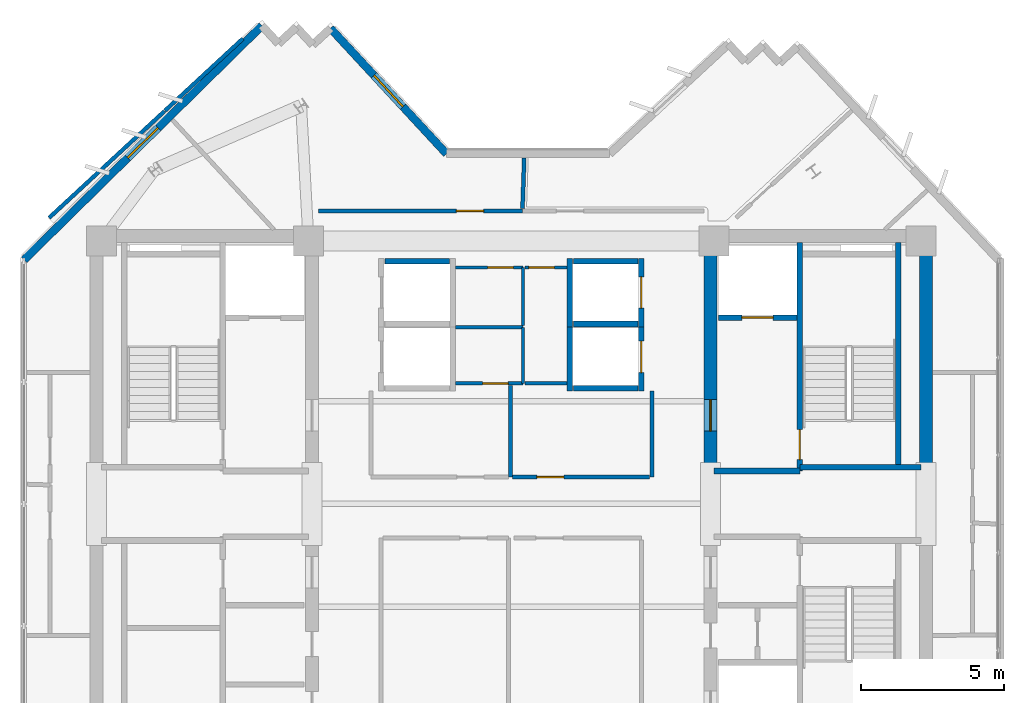
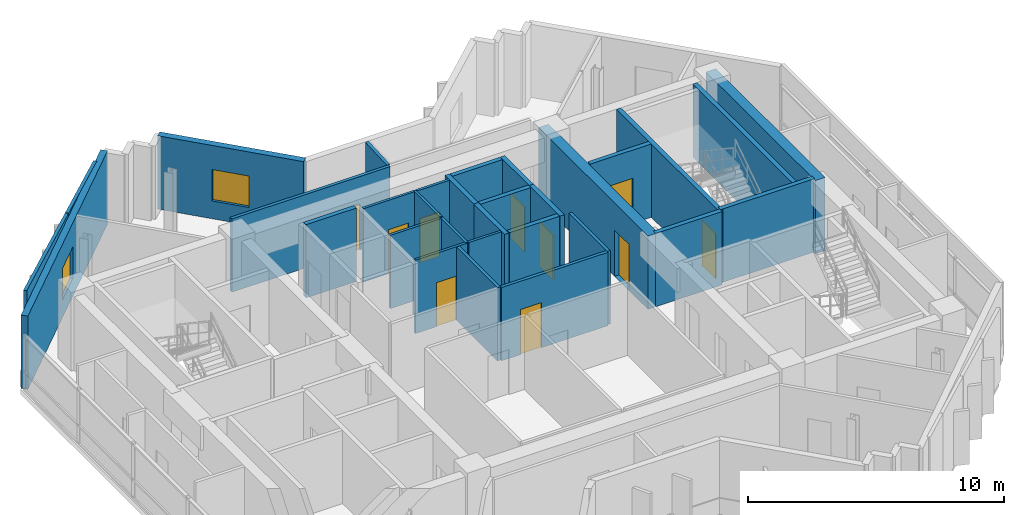
# One storey, part 6 of 9: 31 walls, 10 doors, 2 windows, 12 openings.
"""IFC4 building model written with IfcOpenShell, lengths in metres."""

import ifcopenshell
import ifcopenshell.guid

model = None  # the IFC model being written
_history = None  # IfcOwnerHistory: only IFC2X3 demands one
_inside = {}  # id of a spatial element -> (the spatial element, [elements in it])
_under = {}  # id of a project, library or spatial element -> (it, [spatial elements below it])
_declared = {}  # id of a project -> (the project, [libraries it declares])
_typed = {}  # id of a type object -> (the type object, [elements of that type])
_made_of = {}  # id of a material, layer set ... -> (it, [elements and type objects made of it])


def new_model(schema):
    """Start an empty IFC model of exactly this schema.

    Asked for "IFC4X3", IfcOpenShell would pick the latest addendum, in which some entities
    have other attributes; the version numbers below select the first issue.
    IFC2X3 requires an IfcOwnerHistory on every rooted entity: one is made here for all.
    """
    global model, _history
    if schema == "IFC4X3":
        model = ifcopenshell.file(schema_version=(4, 3, 0, 0))
    else:
        model = ifcopenshell.file(schema=schema)
    _inside.clear()
    _under.clear()
    _declared.clear()
    _typed.clear()
    _made_of.clear()
    _history = None
    if model.schema == "IFC2X3":
        org = make("IfcOrganization", Name="unknown")
        user = make(
            "IfcPersonAndOrganization",
            ThePerson=make("IfcPerson", FamilyName="unknown"),
            TheOrganization=org,
        )
        app = make(
            "IfcApplication",
            ApplicationDeveloper=org,
            Version="unknown",
            ApplicationFullName="unknown",
            ApplicationIdentifier="unknown",
        )
        _history = make(
            "IfcOwnerHistory",
            OwningUser=user,
            OwningApplication=app,
            ChangeAction="ADDED",
            CreationDate=0,
        )
    return model


def make(cls, **values):
    """One entity of the class cls with the attributes given. An attribute that is None is left unset."""
    return model.create_entity(
        cls, **{name: value for name, value in values.items() if value is not None}
    )


def rooted(cls, **values):
    """An entity with a GlobalId (a new one), such as an element, a storey or a relation."""
    return make(cls, GlobalId=ifcopenshell.guid.new(), OwnerHistory=_history, **values)


def si_unit(unit_type, name, prefix=None):
    """IfcSIUnit, for example si_unit("LENGTHUNIT", "METRE", prefix="MILLI")."""
    return make("IfcSIUnit", UnitType=unit_type, Prefix=prefix, Name=name)


def assignment(units):
    """IfcUnitAssignment: the units of a project."""
    return None if units is None else make("IfcUnitAssignment", Units=units)


def point(xyz):
    """IfcCartesianPoint."""
    return None if xyz is None else make("IfcCartesianPoint", Coordinates=xyz)


def direction(xyz):
    """IfcDirection."""
    return None if xyz is None else make("IfcDirection", DirectionRatios=xyz)


def frame(location, z_axis=None, x_axis=None):
    """IfcAxis2Placement3D, a coordinate frame: its origin and axes. An axis left out is left unset."""
    return make(
        "IfcAxis2Placement3D",
        Location=point(location),
        Axis=direction(z_axis),
        RefDirection=direction(x_axis),
    )


def frame_2d(location, x_axis=None):
    """IfcAxis2Placement2D, a coordinate frame in the plane: its origin and x axis."""
    return make(
        "IfcAxis2Placement2D", Location=point(location), RefDirection=direction(x_axis)
    )


def origin():
    """The frame at (0, 0, 0) with its axes left unset."""
    return frame((0.0, 0.0, 0.0))


def place(relative_to, where):
    """IfcLocalPlacement: puts the frame where relative to a parent placement (None: the world)."""
    return make(
        "IfcLocalPlacement", PlacementRelTo=relative_to, RelativePlacement=where
    )


def context(
    kind, dimensions, precision=None, world=None, true_north=None, identifier=None
):
    """IfcGeometricRepresentationContext, for example the 3D "Model" context."""
    return make(
        "IfcGeometricRepresentationContext",
        ContextIdentifier=identifier,
        ContextType=kind,
        CoordinateSpaceDimension=dimensions,
        Precision=precision,
        WorldCoordinateSystem=world,
        TrueNorth=true_north,
    )


def subcontext(parent, identifier, kind, view, scale=None):
    """IfcGeometricRepresentationSubContext, for example "Body" below "Model"."""
    return make(
        "IfcGeometricRepresentationSubContext",
        ContextIdentifier=identifier,
        ContextType=kind,
        ParentContext=parent,
        TargetScale=scale,
        TargetView=view,
    )


def project(units=None, contexts=None):
    """IfcProject with its units and contexts."""
    return rooted(
        "IfcProject",
        Name="project",
        RepresentationContexts=contexts,
        UnitsInContext=assignment(units),
    )


def spatial(cls, under=None, at=None, **own):
    """A site, building, storey or space (cls), placed at a placement, below another one or the project."""
    s = rooted(cls, ObjectPlacement=at, **own)
    if under is not None:
        _under.setdefault(under.id(), (under, []))[1].append(s)
    return s


def profile(cls, at=None, kind="AREA", **sizes):
    """A parametric profile (cls). Its sizes go by their IFC names, for example OverallWidth=200.0."""
    return make(cls, ProfileType=kind, Position=at, **sizes)


def rectangle(**sizes):
    """IfcRectangleProfileDef."""
    return profile("IfcRectangleProfileDef", **sizes)


def extrude(swept, where, along, depth):
    """IfcExtrudedAreaSolid: the profile swept, set in the frame where, extruded along a direction by depth."""
    return make(
        "IfcExtrudedAreaSolid",
        SweptArea=swept,
        Position=where,
        ExtrudedDirection=direction(along),
        Depth=depth,
    )


def shape(context_of_items, identifier, shape_type, items):
    """IfcShapeRepresentation: the items that make up one representation, for example the "Body"."""
    return make(
        "IfcShapeRepresentation",
        ContextOfItems=context_of_items,
        RepresentationIdentifier=identifier,
        RepresentationType=shape_type,
        Items=items,
    )


def source(mapping_origin, context_of_items, identifier, shape_type, items):
    """IfcRepresentationMap: a shape defined once, which mapped items show again and again."""
    return make(
        "IfcRepresentationMap",
        MappingOrigin=mapping_origin,
        MappedRepresentation=shape(context_of_items, identifier, shape_type, items),
    )


def transform(
    local_origin,
    x_axis=None,
    y_axis=None,
    z_axis=None,
    scale=None,
    scale2=None,
    scale3=None,
    uniform=True,
):
    """IfcCartesianTransformationOperator3D, or its non-uniform kind. x_axis, y_axis, z_axis: its Axis1, 2, 3."""
    if uniform:
        return make(
            "IfcCartesianTransformationOperator3D",
            Axis1=direction(x_axis),
            Axis2=direction(y_axis),
            LocalOrigin=point(local_origin),
            Scale=scale,
            Axis3=direction(z_axis),
        )
    return make(
        "IfcCartesianTransformationOperator3DnonUniform",
        Axis1=direction(x_axis),
        Axis2=direction(y_axis),
        LocalOrigin=point(local_origin),
        Scale=scale,
        Axis3=direction(z_axis),
        Scale2=scale2,
        Scale3=scale3,
    )


def mapped(mapping_source, mapping_target):
    """IfcMappedItem: shows the shape of a source again, moved by a transform."""
    return make(
        "IfcMappedItem", MappingSource=mapping_source, MappingTarget=mapping_target
    )


def material(Name=None, Category=None):
    """IfcMaterial."""
    return make("IfcMaterial", Name=Name, Category=Category)


def layer(
    of_material, thickness, ventilated=None, Name=None, Category=None, Priority=None
):
    """IfcMaterialLayer: one layer of a wall or slab, of a material (None: an air gap)."""
    return make(
        "IfcMaterialLayer",
        Material=of_material,
        LayerThickness=thickness,
        IsVentilated=ventilated,
        Name=Name,
        Category=Category,
        Priority=Priority,
    )


def layer_set(layers, Name=None):
    """IfcMaterialLayerSet."""
    return make("IfcMaterialLayerSet", MaterialLayers=layers, LayerSetName=Name)


def made_of(thing, what):
    """Note that an element or type object is made of a material, layer set ...; save() writes the relation."""
    if what is not None:
        _made_of.setdefault(what.id(), (what, []))[1].append(thing)
    return thing


def type_object(cls, material=None, **own):
    """A type object (cls), such as IfcWallType, which elements share."""
    return made_of(rooted(cls, **own), material)


def element(
    cls,
    number,
    at=None,
    inside=None,
    cuts=None,
    type_object=None,
    material=None,
    context=None,
    identifier="Body",
    shape_type=None,
    held_by="IfcProductDefinitionShape",
    body=None,
    shapes=None,
    **own,
):
    """One element of the class cls, such as IfcWall. Its Tag is "e" and its number.

    at: its placement. inside: the storey or other place that contains it. cuts: it is an
    opening in that element (IfcRelVoidsElement). A single representation is given by context,
    identifier, shape_type and body (its items); several are given by shapes. held_by: the class
    of the entity that holds the representations. save() writes the other relations.
    """
    e = rooted(cls, Tag="e%d" % number, ObjectPlacement=at, **own)
    if body is not None:
        shapes = [shape(context, identifier, shape_type, body)]
    if shapes is not None:
        e.Representation = make(held_by, Representations=shapes)
    if inside is not None:
        _inside.setdefault(inside.id(), (inside, []))[1].append(e)
    if cuts is not None:
        rooted(
            "IfcRelVoidsElement", RelatingBuildingElement=cuts, RelatedOpeningElement=e
        )
    if type_object is not None:
        _typed.setdefault(type_object.id(), (type_object, []))[1].append(e)
    return made_of(e, material)


def fill(opening, filler):
    """IfcRelFillsElement: the door or window that sits in an opening."""
    return rooted(
        "IfcRelFillsElement",
        RelatingOpeningElement=opening,
        RelatedBuildingElement=filler,
    )


def aggregate(whole, parts):
    """IfcRelAggregates: a whole, such as a stair, and the parts it consists of."""
    return rooted("IfcRelAggregates", RelatingObject=whole, RelatedObjects=parts)


def save(model, path):
    """Write the relations noted so far, then the file.

    IfcRelAggregates (storeys below a building ...), IfcRelContainedInSpatialStructure (elements
    in a storey), IfcRelDefinesByType, IfcRelAssociatesMaterial and IfcRelDeclares: one each for
    every whole, place, type object, material and project.
    """
    for whole, parts in _under.values():
        aggregate(whole, parts)
    for where, things in _inside.values():
        rooted(
            "IfcRelContainedInSpatialStructure",
            RelatedElements=things,
            RelatingStructure=where,
        )
    for kind, things in _typed.values():
        rooted("IfcRelDefinesByType", RelatedObjects=things, RelatingType=kind)
    for what, things in _made_of.values():
        rooted("IfcRelAssociatesMaterial", RelatedObjects=things, RelatingMaterial=what)
    for by, libraries in _declared.values():
        rooted("IfcRelDeclares", RelatingContext=by, RelatedDefinitions=libraries)
    model.write(path)


model = new_model("IFC4")

# Units and contexts
model_context = context("Model", 3, precision=1e-05, world=origin(), true_north=direction((0.0, 1.0)))
body_context = subcontext(model_context, "Body", "Model", "MODEL_VIEW")
ifc_project = project(units=[si_unit("LENGTHUNIT", "METRE"), si_unit("AREAUNIT", "SQUARE_METRE"), si_unit("VOLUMEUNIT", "CUBIC_METRE"), si_unit("PLANEANGLEUNIT", "RADIAN"), si_unit("MASSUNIT", "GRAM", prefix="KILO")], contexts=[model_context])

# Site, building, storey
site_placement = place(None, origin())
site = spatial("IfcSite", under=ifc_project, at=site_placement, CompositionType="ELEMENT")
building_placement = place(site_placement, origin())
building = spatial("IfcBuilding", under=site, at=building_placement, Name="Zahravan Cultural Tower", CompositionType="ELEMENT")
storey_placement = place(building_placement, frame((0.0, 0.0, 299.10009765625)))
storey = spatial("IfcBuildingStorey", under=building, at=storey_placement, Name="L72", CompositionType="ELEMENT", Elevation=299.10009765625)

# Wall, opening, door
ifc_material_1 = material(Name="Concrete C50/60", Category="concrete")
ifc_layer_1 = layer(ifc_material_1, 0.449951171875)
ifc_layer_set_1 = layer_set([ifc_layer_1], Name="Concrete C50/60")
wall_type_1 = type_object("IfcWallType", Name="CW-SHEAR-450-C50", PredefinedType="SHEAR", material=ifc_layer_set_1)
wall_1_placement = place(storey_placement, frame((42.97509765625, 28.050048828125, 0.0), z_axis=(0.0, 0.0, 1.0), x_axis=(0.0, 1.0, 0.0)))
wall_1 = element("IfcWall", 1, at=wall_1_placement, inside=storey, type_object=wall_type_1, Name="L72 Core Shear Wall CW-E-WN-L72", PredefinedType="SHEAR", context=body_context, shape_type="SweptSolid", body=[
    extrude(rectangle(XDim=8.550048828125, YDim=0.449951171875, at=frame_2d((4.27490234375, 0.0))), origin(), (0.0, 0.0, 1.0), 3.5),
])
opening_1_placement = place(wall_1_placement, frame((1.5, 0.0, 0.0)))
opening_1 = element("IfcOpeningElement", 2, at=opening_1_placement, cuts=wall_1, Name="Opening D-L72-07", PredefinedType="OPENING", context=body_context, shape_type="SweptSolid", body=[
    extrude(rectangle(XDim=1.10009765625, YDim=2.199951171875, at=frame_2d((0.550048828125, 1.10009765625))), frame((0.0, 0.23486328125, 0.0), z_axis=(0.0, -1.0, 0.0), x_axis=(1.0, 0.0, 0.0)), (0.0, 0.0, 1.0), 0.469970703125),
])
ifc_material_2 = material(Name="Steel ASTM A572 Grade 50", Category="steel")
door_type_1 = type_object("IfcDoorType", Name="DR-LOBBY-1100", OperationType="NOTDEFINED", PredefinedType="DOOR", material=ifc_material_2)
shared_shape_1 = source(origin(), body_context, "Body", "SweptSolid", [
    extrude(rectangle(XDim=1.10009765625, YDim=2.199951171875, at=frame_2d((0.550048828125, 1.10009765625))), frame((0.0, 0.02490234375, 0.0), z_axis=(0.0, -1.0, 0.0), x_axis=(1.0, 0.0, 0.0)), (0.0, 0.0, 1.0), 0.050048828125),
])
door_1_placement = place(opening_1_placement, origin())
door_1 = element("IfcDoor", 3, at=door_1_placement, inside=storey, type_object=door_type_1, Name="L72 Door D-L72-07", OperationType="SINGLE_SWING_RIGHT", OverallHeight=2.199951171875, OverallWidth=1.10009765625, PredefinedType="DOOR", context=body_context, shape_type="MappedRepresentation", body=[
    mapped(shared_shape_1, transform((0.0, 0.0, 0.0), x_axis=(1.0, 0.0, 0.0), y_axis=(0.0, 1.0, 0.0), z_axis=(0.0, 0.0, 1.0), scale=1.0)),
])
fill(opening_1, door_1)

# Wall, opening, window
ifc_material_3 = material(Name="Precast concrete C40/50", Category="concrete")
ifc_layer_2 = layer(ifc_material_3, 0.280029296875)
ifc_layer_set_2 = layer_set([ifc_layer_2], Name="Precast concrete C40/50")
wall_type_2 = type_object("IfcWallType", Name="EW-TC-280", PredefinedType="SOLIDWALL", material=ifc_layer_set_2)
wall_2_placement = place(storey_placement, frame((18.93994140625, 35.5419921875, 0.0), z_axis=(0.0, 0.0, 1.0), x_axis=(0.712557502542, 0.701613715353, 0.0)))
wall_2 = element("IfcWall", 4, at=wall_2_placement, inside=storey, type_object=wall_type_2, Name="L72 Exterior Masonry Frame Wall 20", PredefinedType="SOLIDWALL", context=body_context, shape_type="SweptSolid", body=[
    extrude(rectangle(XDim=11.689697265625, YDim=0.280029296875, at=frame_2d((5.8447265625, 0.0))), origin(), (0.0, 0.0, 1.0), 3.5),
])
opening_2_placement = place(wall_2_placement, frame((5.094970703125, 0.0, 0.85009765625)))
opening_2 = element("IfcOpeningElement", 5, at=opening_2_placement, cuts=wall_2, Name="Opening WN-03", PredefinedType="OPENING", context=body_context, shape_type="SweptSolid", body=[
    extrude(rectangle(XDim=1.5, YDim=1.5, at=frame_2d((0.75, 0.75))), frame((0.0, 0.14990234375, 0.0), z_axis=(0.0, -1.0, 0.0), x_axis=(1.0, 0.0, 0.0)), (0.0, 0.0, 1.0), 0.300048828125),
])
ifc_material_4 = material(Name="Low-E solar-control double glazing", Category="glass")
window_type = type_object("IfcWindowType", Name="WN-REC-1500X1500", PartitioningType="SINGLE_PANEL", PredefinedType="WINDOW", material=ifc_material_4)
shared_shape_2 = source(origin(), body_context, "Body", "SweptSolid", [
    extrude(rectangle(XDim=1.5, YDim=1.5, at=frame_2d((0.75, 0.75))), frame((0.0, 0.030029296875, 0.0), z_axis=(0.0, -1.0, 0.0), x_axis=(1.0, 0.0, 0.0)), (0.0, 0.0, 1.0), 0.06005859375),
])
window_1_placement = place(opening_2_placement, origin())
window_1 = element("IfcWindow", 6, at=window_1_placement, inside=storey, type_object=window_type, Name="L72 Recessed Solar Window 04", OverallHeight=1.5, OverallWidth=1.5, PartitioningType="SINGLE_PANEL", PredefinedType="WINDOW", context=body_context, shape_type="MappedRepresentation", body=[
    mapped(shared_shape_2, transform((0.0, 0.0, 0.0), x_axis=(1.0, 0.0, 0.0), y_axis=(0.0, 1.0, 0.0), z_axis=(0.0, 0.0, 1.0), scale=1.0)),
])
fill(opening_2, window_1)

wall_3_placement = place(storey_placement, frame((29.672119140625, 43.64990234375, 0.0), z_axis=(0.0, 0.0, 1.0), x_axis=(0.679010627727, -0.734128440693, 0.0)))
wall_3 = element("IfcWall", 7, at=wall_3_placement, inside=storey, type_object=wall_type_2, Name="L72 Exterior Masonry Frame Wall 25", PredefinedType="SOLIDWALL", context=body_context, shape_type="SweptSolid", body=[
    extrude(rectangle(XDim=5.979736328125, YDim=0.280029296875, at=frame_2d((2.98974609375, 0.0))), origin(), (0.0, 0.0, 1.0), 3.5),
])
opening_3_placement = place(wall_3_placement, frame((2.239990234375, 0.0, 0.85009765625)))
opening_3 = element("IfcOpeningElement", 8, at=opening_3_placement, cuts=wall_3, Name="Opening WN-03", PredefinedType="OPENING", context=body_context, shape_type="SweptSolid", body=[
    extrude(rectangle(XDim=1.5, YDim=1.5, at=frame_2d((0.75, 0.75))), frame((0.0, 0.14990234375, 0.0), z_axis=(0.0, -1.0, 0.0), x_axis=(1.0, 0.0, 0.0)), (0.0, 0.0, 1.0), 0.300048828125),
])
window_2_placement = place(opening_3_placement, origin())
window_2 = element("IfcWindow", 9, at=window_2_placement, inside=storey, type_object=window_type, Name="L72 Recessed Solar Window 05", OverallHeight=1.5, OverallWidth=1.5, PartitioningType="SINGLE_PANEL", PredefinedType="WINDOW", context=body_context, shape_type="MappedRepresentation", body=[
    mapped(shared_shape_2, transform((0.0, 0.0, 0.0), x_axis=(1.0, 0.0, 0.0), y_axis=(0.0, 1.0, 0.0), z_axis=(0.0, 0.0, 1.0), scale=1.0)),
])
fill(opening_3, window_2)

# Wall, opening, door
ifc_material_5 = material(Name="Gypsum plasterboard partition")
ifc_layer_3 = layer(ifc_material_5, 0.139892578125)
ifc_layer_set_3 = layer_set([ifc_layer_3], Name="Gypsum plasterboard partition")
wall_type_3 = type_object("IfcWallType", Name="W-PART-140", PredefinedType="PARTITIONING", material=ifc_layer_set_3)
wall_4_placement = place(storey_placement, frame((40.844970703125, 27.93994140625, 0.0), z_axis=(0.0, 0.0, 1.0), x_axis=(-1.0, 0.0, 0.0)))
wall_4 = element("IfcWall", 10, at=wall_4_placement, inside=storey, type_object=wall_type_3, Name="L72 Interior Wall 060", PredefinedType="PARTITIONING", context=body_context, shape_type="SweptSolid", body=[
    extrude(rectangle(XDim=4.800048828125, YDim=0.139892578125, at=frame_2d((2.39990234375, 0.0))), origin(), (0.0, 0.0, 1.0), 3.5),
])
opening_4_placement = place(wall_4_placement, frame((3.0029296875, 0.0, 0.0)))
opening_4 = element("IfcOpeningElement", 11, at=opening_4_placement, cuts=wall_4, Name="Opening D-L72-19", PredefinedType="OPENING", context=body_context, shape_type="SweptSolid", body=[
    extrude(rectangle(XDim=0.949951171875, YDim=2.14990234375, at=frame_2d((0.47509765625, 1.074951171875))), frame((0.0, 0.079833984375, 0.0), z_axis=(0.0, -1.0, 0.0), x_axis=(1.0, 0.0, 0.0)), (0.0, 0.0, 1.0), 0.159912109375),
])
ifc_material_6 = material(Name="Anodised bronze-aluminium mullion", Category="aluminium")
door_type_2 = type_object("IfcDoorType", Name="DR-ROOM-950", OperationType="NOTDEFINED", PredefinedType="DOOR", material=ifc_material_6)
shared_shape_3 = source(origin(), body_context, "Body", "SweptSolid", [
    extrude(rectangle(XDim=0.949951171875, YDim=2.14990234375, at=frame_2d((0.47509765625, 1.074951171875))), frame((0.0, 0.02490234375, 0.0), z_axis=(0.0, -1.0, 0.0), x_axis=(1.0, 0.0, 0.0)), (0.0, 0.0, 1.0), 0.050048828125),
])
door_2_placement = place(opening_4_placement, origin())
door_2 = element("IfcDoor", 12, at=door_2_placement, inside=storey, type_object=door_type_2, Name="L72 Door D-L72-19", OperationType="SINGLE_SWING_RIGHT", OverallHeight=2.14990234375, OverallWidth=0.949951171875, PredefinedType="DOOR", context=body_context, shape_type="MappedRepresentation", body=[
    mapped(shared_shape_3, transform((0.0, 0.0, 0.0), x_axis=(1.0, 0.0, 0.0), y_axis=(0.0, 1.0, 0.0), z_axis=(0.0, 0.0, 1.0), scale=1.0)),
])
fill(opening_4, door_2)

wall_5_placement = place(storey_placement, frame((36.39013671875, 37.260009765625, 0.0), z_axis=(0.0, 0.0, 1.0), x_axis=(-0.999999997659, -6.8420512e-05, 0.0)))
wall_5 = element("IfcWall", 13, at=wall_5_placement, inside=storey, type_object=wall_type_3, Name="L72 Interior Wall 095", PredefinedType="PARTITIONING", context=body_context, shape_type="SweptSolid", body=[
    extrude(rectangle(XDim=7.136474609375, YDim=0.139892578125, at=frame_2d((3.568359375, 0.0))), origin(), (0.0, 0.0, 1.0), 3.5),
])
opening_5_placement = place(wall_5_placement, frame((1.361083984375, 0.0, 0.0)))
opening_5 = element("IfcOpeningElement", 14, at=opening_5_placement, cuts=wall_5, Name="Opening D-L72-22", PredefinedType="OPENING", context=body_context, shape_type="SweptSolid", body=[
    extrude(rectangle(XDim=0.949951171875, YDim=2.14990234375, at=frame_2d((0.47509765625, 1.074951171875))), frame((0.0, 0.079833984375, 0.0), z_axis=(0.0, -1.0, 0.0), x_axis=(1.0, 0.0, 0.0)), (0.0, 0.0, 1.0), 0.159912109375),
])
door_3_placement = place(opening_5_placement, origin())
door_3 = element("IfcDoor", 15, at=door_3_placement, inside=storey, type_object=door_type_2, Name="L72 Door D-L72-22", OperationType="SINGLE_SWING_LEFT", OverallHeight=2.14990234375, OverallWidth=0.949951171875, PredefinedType="DOOR", context=body_context, shape_type="MappedRepresentation", body=[
    mapped(shared_shape_3, transform((0.0, 0.0, 0.0), x_axis=(1.0, 0.0, 0.0), y_axis=(0.0, 1.0, 0.0), z_axis=(0.0, 0.0, 1.0), scale=1.0)),
])
fill(opening_5, door_3)

ifc_material_7 = material(Name="Concrete C45/55", Category="concrete")
ifc_layer_4 = layer(ifc_material_7, 0.199951171875)
ifc_layer_set_4 = layer_set([ifc_layer_4], Name="Concrete C45/55")
wall_type_4 = type_object("IfcWallType", Name="W-SHAFT-200", PredefinedType="SOLIDWALL", material=ifc_layer_set_4)
wall_6_placement = place(storey_placement, frame((46.10009765625, 28.14990234375, 0.0), z_axis=(0.0, 0.0, 1.0), x_axis=(0.0, 1.0, 0.0)))
wall_6 = element("IfcWall", 16, at=wall_6_placement, inside=storey, type_object=wall_type_4, Name="L72 Interior Wall 008", PredefinedType="SOLIDWALL", context=body_context, shape_type="SweptSolid", body=[
    extrude(rectangle(XDim=8.0, YDim=0.199951171875, at=frame_2d((4.0, 0.0))), origin(), (0.0, 0.0, 1.0), 3.5),
])
opening_6_placement = place(wall_6_placement, frame((0.39990234375, 0.0, 0.0)))
opening_6 = element("IfcOpeningElement", 17, at=opening_6_placement, cuts=wall_6, Name="Opening D-L72-02", PredefinedType="OPENING", context=body_context, shape_type="SweptSolid", body=[
    extrude(rectangle(XDim=1.050048828125, YDim=2.14990234375, at=frame_2d((0.52490234375, 1.074951171875))), frame((0.0, 0.10986328125, 0.0), z_axis=(0.0, -1.0, 0.0), x_axis=(1.0, 0.0, 0.0)), (0.0, 0.0, 1.0), 0.219970703125),
])
door_type_3 = type_object("IfcDoorType", Name="DR-STAIR-1050", OperationType="NOTDEFINED", PredefinedType="DOOR", material=ifc_material_2)
shared_shape_4 = source(origin(), body_context, "Body", "SweptSolid", [
    extrude(rectangle(XDim=1.050048828125, YDim=2.14990234375, at=frame_2d((0.52490234375, 1.074951171875))), frame((0.0, 0.02490234375, 0.0), z_axis=(0.0, -1.0, 0.0), x_axis=(1.0, 0.0, 0.0)), (0.0, 0.0, 1.0), 0.050048828125),
])
door_4_placement = place(opening_6_placement, origin())
door_4 = element("IfcDoor", 18, at=door_4_placement, inside=storey, type_object=door_type_3, Name="L72 Door D-L72-02", OperationType="SINGLE_SWING_LEFT", OverallHeight=2.14990234375, OverallWidth=1.050048828125, PredefinedType="DOOR", context=body_context, shape_type="MappedRepresentation", body=[
    mapped(shared_shape_4, transform((0.0, 0.0, 0.0), x_axis=(1.0, 0.0, 0.0), y_axis=(0.0, 1.0, 0.0), z_axis=(0.0, 0.0, 1.0), scale=1.0)),
])
fill(opening_6, door_4)

wall_7_placement = place(storey_placement, frame((43.25, 33.52001953125, 0.0), z_axis=(0.0, 0.0, 1.0), x_axis=(1.0, 0.0, 0.0)))
wall_7 = element("IfcWall", 19, at=wall_7_placement, inside=storey, type_object=wall_type_4, Name="L72 Interior Wall 023", PredefinedType="SOLIDWALL", context=body_context, shape_type="SweptSolid", body=[
    extrude(rectangle(XDim=2.75, YDim=0.199951171875, at=frame_2d((1.375, 0.0))), origin(), (0.0, 0.0, 1.0), 3.5),
])
opening_7_placement = place(wall_7_placement, frame((0.820068359375, 0.0, 0.0)))
opening_7 = element("IfcOpeningElement", 20, at=opening_7_placement, cuts=wall_7, Name="Opening LD-L72-02", PredefinedType="OPENING", context=body_context, shape_type="SweptSolid", body=[
    extrude(rectangle(XDim=1.10009765625, YDim=2.14990234375, at=frame_2d((0.550048828125, 1.074951171875))), frame((0.0, 0.10986328125, 0.0), z_axis=(0.0, -1.0, 0.0), x_axis=(1.0, 0.0, 0.0)), (0.0, 0.0, 1.0), 0.219970703125),
])
door_type_4 = type_object("IfcDoorType", Name="DR-LIFT-1100", OperationType="DOUBLE_DOOR_SLIDING", PredefinedType="DOOR", material=ifc_material_2)
shared_shape_5 = source(origin(), body_context, "Body", "SweptSolid", [
    extrude(rectangle(XDim=1.10009765625, YDim=2.14990234375, at=frame_2d((0.550048828125, 1.074951171875))), frame((0.0, 0.02490234375, 0.0), z_axis=(0.0, -1.0, 0.0), x_axis=(1.0, 0.0, 0.0)), (0.0, 0.0, 1.0), 0.050048828125),
])
door_5_placement = place(opening_7_placement, origin())
door_5 = element("IfcDoor", 21, at=door_5_placement, inside=storey, type_object=door_type_4, Name="L72 Door LD-L72-02", OperationType="DOUBLE_DOOR_SLIDING", OverallHeight=2.14990234375, OverallWidth=1.10009765625, PredefinedType="DOOR", context=body_context, shape_type="MappedRepresentation", body=[
    mapped(shared_shape_5, transform((0.0, 0.0, 0.0), x_axis=(1.0, 0.0, 0.0), y_axis=(0.0, 1.0, 0.0), z_axis=(0.0, 0.0, 1.0), scale=1.0)),
])
fill(opening_7, door_5)

wall_8_placement = place(storey_placement, frame((40.550048828125, 33.199951171875, 0.0), z_axis=(0.0, 0.0, 1.0), x_axis=(0.0, 1.0, 0.0)))
wall_8 = element("IfcWall", 22, at=wall_8_placement, inside=storey, type_object=wall_type_4, Name="L72 Interior Wall 037", PredefinedType="SOLIDWALL", context=body_context, shape_type="SweptSolid", body=[
    extrude(rectangle(XDim=2.400146484375, YDim=0.199951171875, at=frame_2d((1.2001953125, 0.0))), origin(), (0.0, 0.0, 1.0), 3.5),
])
opening_8_placement = place(wall_8_placement, frame((0.64990234375, 0.0, 0.0)))
opening_8 = element("IfcOpeningElement", 23, at=opening_8_placement, cuts=wall_8, Name="Opening LD-L72-06", PredefinedType="OPENING", context=body_context, shape_type="SweptSolid", body=[
    extrude(rectangle(XDim=1.10009765625, YDim=2.14990234375, at=frame_2d((0.550048828125, 1.074951171875))), frame((0.0, 0.10986328125, 0.0), z_axis=(0.0, -1.0, 0.0), x_axis=(1.0, 0.0, 0.0)), (0.0, 0.0, 1.0), 0.219970703125),
])
door_6_placement = place(opening_8_placement, origin())
door_6 = element("IfcDoor", 24, at=door_6_placement, inside=storey, type_object=door_type_4, Name="L72 Door LD-L72-06", OperationType="DOUBLE_DOOR_SLIDING", OverallHeight=2.14990234375, OverallWidth=1.10009765625, PredefinedType="DOOR", context=body_context, shape_type="MappedRepresentation", body=[
    mapped(shared_shape_5, transform((0.0, 0.0, 0.0), x_axis=(1.0, 0.0, 0.0), y_axis=(0.0, 1.0, 0.0), z_axis=(0.0, 0.0, 1.0), scale=1.0)),
])
fill(opening_8, door_6)

wall_9_placement = place(storey_placement, frame((40.550048828125, 30.949951171875, 0.0), z_axis=(0.0, 0.0, 1.0), x_axis=(0.0, 1.0, 0.0)))
wall_9 = element("IfcWall", 25, at=wall_9_placement, inside=storey, type_object=wall_type_4, Name="L72 Interior Wall 041", PredefinedType="SOLIDWALL", context=body_context, shape_type="SweptSolid", body=[
    extrude(rectangle(XDim=2.400146484375, YDim=0.199951171875, at=frame_2d((1.2001953125, 0.0))), origin(), (0.0, 0.0, 1.0), 3.5),
])
opening_9_placement = place(wall_9_placement, frame((0.64990234375, 0.0, 0.0)))
opening_9 = element("IfcOpeningElement", 26, at=opening_9_placement, cuts=wall_9, Name="Opening LD-L72-07", PredefinedType="OPENING", context=body_context, shape_type="SweptSolid", body=[
    extrude(rectangle(XDim=1.10009765625, YDim=2.14990234375, at=frame_2d((0.550048828125, 1.074951171875))), frame((0.0, 0.10986328125, 0.0), z_axis=(0.0, -1.0, 0.0), x_axis=(1.0, 0.0, 0.0)), (0.0, 0.0, 1.0), 0.219970703125),
])
door_7_placement = place(opening_9_placement, origin())
door_7 = element("IfcDoor", 27, at=door_7_placement, inside=storey, type_object=door_type_4, Name="L72 Door LD-L72-07", OperationType="DOUBLE_DOOR_SLIDING", OverallHeight=2.14990234375, OverallWidth=1.10009765625, PredefinedType="DOOR", context=body_context, shape_type="MappedRepresentation", body=[
    mapped(shared_shape_5, transform((0.0, 0.0, 0.0), x_axis=(1.0, 0.0, 0.0), y_axis=(0.0, 1.0, 0.0), z_axis=(0.0, 0.0, 1.0), scale=1.0)),
])
fill(opening_9, door_7)

ifc_layer_5 = layer(ifc_material_5, 0.114990234375)
ifc_layer_set_5 = layer_set([ifc_layer_5], Name="Gypsum plasterboard partition")
wall_type_5 = type_object("IfcWallType", Name="W-WC-115", PredefinedType="PARTITIONING", material=ifc_layer_set_5)
wall_10_placement = place(storey_placement, frame((36.409912109375, 31.219970703125, 0.0), z_axis=(0.0, 0.0, 1.0), x_axis=(-1.0, 0.0, 0.0)))
wall_10 = element("IfcWall", 28, at=wall_10_placement, inside=storey, type_object=wall_type_5, Name="L72 Interior Wall 043", PredefinedType="PARTITIONING", context=body_context, shape_type="SweptSolid", body=[
    extrude(rectangle(XDim=2.35498046875, YDim=0.114990234375, at=frame_2d((1.177490234375, 0.0))), origin(), (0.0, 0.0, 1.0), 3.5),
])
opening_10_placement = place(wall_10_placement, frame((0.5166015625, 0.0, 0.0)))
opening_10 = element("IfcOpeningElement", 29, at=opening_10_placement, cuts=wall_10, Name="Opening D-L72-28", PredefinedType="OPENING", context=body_context, shape_type="SweptSolid", body=[
    extrude(rectangle(XDim=0.89990234375, YDim=2.10009765625, at=frame_2d((0.449951171875, 1.050048828125))), frame((0.0, 0.0673828125, 0.0), z_axis=(0.0, -1.0, 0.0), x_axis=(1.0, 0.0, 0.0)), (0.0, 0.0, 1.0), 0.135009765625),
])
door_type_5 = type_object("IfcDoorType", Name="DR-WC-900", OperationType="NOTDEFINED", PredefinedType="DOOR", material=ifc_material_6)
shared_shape_6 = source(origin(), body_context, "Body", "SweptSolid", [
    extrude(rectangle(XDim=0.89990234375, YDim=2.10009765625, at=frame_2d((0.449951171875, 1.050048828125))), frame((0.0, 0.02490234375, 0.0), z_axis=(0.0, -1.0, 0.0), x_axis=(1.0, 0.0, 0.0)), (0.0, 0.0, 1.0), 0.050048828125),
])
door_8_placement = place(opening_10_placement, origin())
door_8 = element("IfcDoor", 30, at=door_8_placement, inside=storey, type_object=door_type_5, Name="L72 Door D-L72-28", OperationType="SINGLE_SWING_LEFT", OverallHeight=2.10009765625, OverallWidth=0.89990234375, PredefinedType="DOOR", context=body_context, shape_type="MappedRepresentation", body=[
    mapped(shared_shape_6, transform((0.0, 0.0, 0.0), x_axis=(1.0, 0.0, 0.0), y_axis=(0.0, 1.0, 0.0), z_axis=(0.0, 0.0, 1.0), scale=1.0)),
])
fill(opening_10, door_8)

wall_11_placement = place(storey_placement, frame((34.054931640625, 35.280029296875, 0.0), z_axis=(0.0, 0.0, 1.0), x_axis=(1.0, 0.0, 0.0)))
wall_11 = element("IfcWall", 31, at=wall_11_placement, inside=storey, type_object=wall_type_5, Name="L72 Interior Wall 046", PredefinedType="PARTITIONING", context=body_context, shape_type="SweptSolid", body=[
    extrude(rectangle(XDim=2.35498046875, YDim=0.114990234375, at=frame_2d((1.177490234375, 0.0))), origin(), (0.0, 0.0, 1.0), 3.5),
])
opening_11_placement = place(wall_11_placement, frame((1.120849609375, 0.0, 0.0)))
opening_11 = element("IfcOpeningElement", 32, at=opening_11_placement, cuts=wall_11, Name="Opening D-L72-16", PredefinedType="OPENING", context=body_context, shape_type="SweptSolid", body=[
    extrude(rectangle(XDim=0.89990234375, YDim=2.10009765625, at=frame_2d((0.449951171875, 1.050048828125))), frame((0.0, 0.0673828125, 0.0), z_axis=(0.0, -1.0, 0.0), x_axis=(1.0, 0.0, 0.0)), (0.0, 0.0, 1.0), 0.135009765625),
])
door_9_placement = place(opening_11_placement, origin())
door_9 = element("IfcDoor", 33, at=door_9_placement, inside=storey, type_object=door_type_5, Name="L72 Door D-L72-16", OperationType="SINGLE_SWING_LEFT", OverallHeight=2.10009765625, OverallWidth=0.89990234375, PredefinedType="DOOR", context=body_context, shape_type="MappedRepresentation", body=[
    mapped(shared_shape_6, transform((0.0, 0.0, 0.0), x_axis=(1.0, 0.0, 0.0), y_axis=(0.0, 1.0, 0.0), z_axis=(0.0, 0.0, 1.0), scale=1.0)),
])
fill(opening_11, door_9)

wall_12_placement = place(storey_placement, frame((36.472412109375, 35.280029296875, 0.0), z_axis=(0.0, 0.0, 1.0), x_axis=(1.0, 0.0, 0.0)))
wall_12 = element("IfcWall", 34, at=wall_12_placement, inside=storey, type_object=wall_type_5, Name="L72 Interior Wall 049", PredefinedType="PARTITIONING", context=body_context, shape_type="SweptSolid", body=[
    extrude(rectangle(XDim=1.47265625, YDim=0.114990234375, at=frame_2d((0.736328125, 0.0))), origin(), (0.0, 0.0, 1.0), 3.5),
])
opening_12_placement = place(wall_12_placement, frame((0.139892578125, 0.0, 0.0)))
opening_12 = element("IfcOpeningElement", 35, at=opening_12_placement, cuts=wall_12, Name="Opening D-L72-17", PredefinedType="OPENING", context=body_context, shape_type="SweptSolid", body=[
    extrude(rectangle(XDim=0.89990234375, YDim=2.10009765625, at=frame_2d((0.449951171875, 1.050048828125))), frame((0.0, 0.0673828125, 0.0), z_axis=(0.0, -1.0, 0.0), x_axis=(1.0, 0.0, 0.0)), (0.0, 0.0, 1.0), 0.135009765625),
])
door_10_placement = place(opening_12_placement, origin())
door_10 = element("IfcDoor", 36, at=door_10_placement, inside=storey, type_object=door_type_5, Name="L72 Door D-L72-17", OperationType="SINGLE_SWING_RIGHT", OverallHeight=2.10009765625, OverallWidth=0.89990234375, PredefinedType="DOOR", context=body_context, shape_type="MappedRepresentation", body=[
    mapped(shared_shape_6, transform((0.0, 0.0, 0.0), x_axis=(1.0, 0.0, 0.0), y_axis=(0.0, 1.0, 0.0), z_axis=(0.0, 0.0, 1.0), scale=1.0)),
])
fill(opening_12, door_10)

# Walls
shared_shape_7 = source(origin(), body_context, "Body", "SweptSolid", [
    extrude(rectangle(XDim=8.550048828125, YDim=0.449951171875, at=frame_2d((4.27490234375, 0.0))), origin(), (0.0, 0.0, 1.0), 3.5),
])
wall_13_placement = place(storey_placement, frame((50.52490234375, 28.050048828125, 0.0), z_axis=(0.0, 0.0, 1.0), x_axis=(0.0, 1.0, 0.0)))
element("IfcWall", 37, at=wall_13_placement, inside=storey, type_object=wall_type_1, Name="L72 Core Shear Wall CW-E-EN-L72", PredefinedType="SHEAR", context=body_context, shape_type="MappedRepresentation", body=[
    mapped(shared_shape_7, transform((0.0, 0.0, 0.0), x_axis=(1.0, 0.0, 0.0), y_axis=(0.0, 1.0, 0.0), z_axis=(0.0, 0.0, 1.0), scale=1.0)),
])
shared_shape_8 = source(origin(), body_context, "Body", "SweptSolid", [
    extrude(rectangle(XDim=7.869873046875, YDim=0.199951171875, at=frame_2d((3.93505859375, 0.0))), origin(), (0.0, 0.0, 1.0), 3.5),
])
wall_14_placement = place(storey_placement, frame((49.550048828125, 28.280029296875, 0.0), z_axis=(0.0, 0.0, 1.0), x_axis=(0.0, 1.0, 0.0)))
element("IfcWall", 38, at=wall_14_placement, inside=storey, type_object=wall_type_4, Name="L72 Interior Wall 004", PredefinedType="SOLIDWALL", context=body_context, shape_type="MappedRepresentation", body=[
    mapped(shared_shape_8, transform((0.0, 0.0, 0.0), x_axis=(1.0, 0.0, 0.0), y_axis=(0.0, 1.0, 0.0), z_axis=(0.0, 0.0, 1.0), scale=1.0)),
])
shared_shape_9 = source(origin(), body_context, "Body", "SweptSolid", [
    extrude(rectangle(XDim=4.25, YDim=0.199951171875, at=frame_2d((2.125, 0.0))), origin(), (0.0, 0.0, 1.0), 3.5),
])
wall_15_placement = place(storey_placement, frame((46.10009765625, 28.284912109375, 0.0), z_axis=(0.0, 0.0, 1.0), x_axis=(1.0, 0.0, 0.0)))
element("IfcWall", 39, at=wall_15_placement, inside=storey, type_object=wall_type_4, Name="L72 Interior Wall 016", PredefinedType="SOLIDWALL", context=body_context, shape_type="MappedRepresentation", body=[
    mapped(shared_shape_9, transform((0.0, 0.0, 0.0), x_axis=(1.0, 0.0, 0.0), y_axis=(0.0, 1.0, 0.0), z_axis=(0.0, 0.0, 1.0), scale=1.0)),
])
shared_shape_10 = source(origin(), body_context, "Body", "SweptSolid", [
    extrude(rectangle(XDim=3.0, YDim=0.199951171875, at=frame_2d((1.5, 0.0))), origin(), (0.0, 0.0, 1.0), 3.5),
])
wall_16_placement = place(storey_placement, frame((43.10009765625, 28.14990234375, 0.0), z_axis=(0.0, 0.0, 1.0), x_axis=(1.0, 0.0, 0.0)))
element("IfcWall", 40, at=wall_16_placement, inside=storey, type_object=wall_type_4, Name="L72 Interior Wall 015", PredefinedType="SOLIDWALL", context=body_context, shape_type="MappedRepresentation", body=[
    mapped(shared_shape_10, transform((0.0, 0.0, 0.0), x_axis=(1.0, 0.0, 0.0), y_axis=(0.0, 1.0, 0.0), z_axis=(0.0, 0.0, 1.0), scale=1.0)),
])
shared_shape_11 = source(origin(), body_context, "Body", "SweptSolid", [
    extrude(rectangle(XDim=2.400146484375, YDim=0.199951171875, at=frame_2d((1.2001953125, 0.0))), origin(), (0.0, 0.0, 1.0), 3.5),
])
for number, where, z_axis, x_axis, name in (
    (41, (38.050048828125, 33.199951171875, 0.0), (0.0, 0.0, 1.0), (0.0, 1.0, 0.0), "L72 Interior Wall 036"),
    (42, (38.050048828125, 30.949951171875, 0.0), (0.0, 0.0, 1.0), (0.0, 1.0, 0.0), "L72 Interior Wall 040"),
):
    element("IfcWall", number, at=place(storey_placement, frame(where, z_axis=z_axis, x_axis=x_axis)), inside=storey, type_object=wall_type_4, Name=name, PredefinedType="SOLIDWALL", context=body_context, shape_type="MappedRepresentation", body=[
        mapped(shared_shape_11, transform((0.0, 0.0, 0.0), x_axis=(1.0, 0.0, 0.0), y_axis=(0.0, 1.0, 0.0), z_axis=(0.0, 0.0, 1.0), scale=1.0)),
    ])
shared_shape_12 = source(origin(), body_context, "Body", "SweptSolid", [
    extrude(rectangle(XDim=2.260009765625, YDim=0.199951171875, at=frame_2d((1.1298828125, 0.0))), origin(), (0.0, 0.0, 1.0), 3.5),
])
for number, where, z_axis, x_axis, name in (
    (43, (31.570068359375, 35.5, 0.0), (0.0, 0.0, 1.0), (1.0, 0.0, 0.0), "L72 Interior Wall 032"),
    (44, (38.169921875, 33.300048828125, 0.0), (0.0, 0.0, 1.0), (1.0, 0.0, 0.0), "L72 Interior Wall 038"),
    (45, (38.169921875, 35.5, 0.0), (0.0, 0.0, 1.0), (1.0, 0.0, 0.0), "L72 Interior Wall 039"),
    (46, (38.169921875, 31.050048828125, 0.0), (0.0, 0.0, 1.0), (1.0, 0.0, 0.0), "L72 Interior Wall 042"),
):
    element("IfcWall", number, at=place(storey_placement, frame(where, z_axis=z_axis, x_axis=x_axis)), inside=storey, type_object=wall_type_4, Name=name, PredefinedType="SOLIDWALL", context=body_context, shape_type="MappedRepresentation", body=[
        mapped(shared_shape_12, transform((0.0, 0.0, 0.0), x_axis=(1.0, 0.0, 0.0), y_axis=(0.0, 1.0, 0.0), z_axis=(0.0, 0.0, 1.0), scale=1.0)),
    ])
shared_shape_13 = source(origin(), body_context, "Body", "SweptSolid", [
    extrude(rectangle(XDim=1.9599609375, YDim=0.114990234375, at=frame_2d((0.97998046875, 0.0))), origin(), (0.0, 0.0, 1.0), 3.5),
])
wall_17_placement = place(storey_placement, frame((36.409912109375, 33.179931640625, 0.0), z_axis=(0.0, 0.0, 1.0), x_axis=(0.0, -1.0, 0.0)))
element("IfcWall", 47, at=wall_17_placement, inside=storey, type_object=wall_type_5, Name="L72 Interior Wall 045", PredefinedType="PARTITIONING", context=body_context, shape_type="MappedRepresentation", body=[
    mapped(shared_shape_13, transform((0.0, 0.0, 0.0), x_axis=(1.0, 0.0, 0.0), y_axis=(0.0, 1.0, 0.0), z_axis=(0.0, 0.0, 1.0), scale=1.0)),
])
shared_shape_14 = source(origin(), body_context, "Body", "SweptSolid", [
    extrude(rectangle(XDim=2.0400390625, YDim=0.114990234375, at=frame_2d((1.02001953125, 0.0))), origin(), (0.0, 0.0, 1.0), 3.5),
])
wall_18_placement = place(storey_placement, frame((36.409912109375, 35.280029296875, 0.0), z_axis=(0.0, 0.0, 1.0), x_axis=(0.0, -1.0, 0.0)))
element("IfcWall", 48, at=wall_18_placement, inside=storey, type_object=wall_type_5, Name="L72 Interior Wall 047", PredefinedType="PARTITIONING", context=body_context, shape_type="MappedRepresentation", body=[
    mapped(shared_shape_14, transform((0.0, 0.0, 0.0), x_axis=(1.0, 0.0, 0.0), y_axis=(0.0, 1.0, 0.0), z_axis=(0.0, 0.0, 1.0), scale=1.0)),
])
shared_shape_15 = source(origin(), body_context, "Body", "SweptSolid", [
    extrude(rectangle(XDim=1.47265625, YDim=0.114990234375, at=frame_2d((0.736328125, 0.0))), origin(), (0.0, 0.0, 1.0), 3.5),
])
wall_19_placement = place(storey_placement, frame((37.945068359375, 31.219970703125, 0.0), z_axis=(0.0, 0.0, 1.0), x_axis=(-1.0, 0.0, 0.0)))
element("IfcWall", 49, at=wall_19_placement, inside=storey, type_object=wall_type_5, Name="L72 Interior Wall 048", PredefinedType="PARTITIONING", context=body_context, shape_type="MappedRepresentation", body=[
    mapped(shared_shape_15, transform((0.0, 0.0, 0.0), x_axis=(1.0, 0.0, 0.0), y_axis=(0.0, 1.0, 0.0), z_axis=(0.0, 0.0, 1.0), scale=1.0)),
])
shared_shape_16 = source(origin(), body_context, "Body", "SweptSolid", [
    extrude(rectangle(XDim=3.010009765625, YDim=0.139892578125, at=frame_2d((1.5048828125, 0.0))), origin(), (0.0, 0.0, 1.0), 3.5),
])
wall_20_placement = place(storey_placement, frame((40.919921875, 30.949951171875, 0.0), z_axis=(0.0, 0.0, 1.0), x_axis=(0.0, -1.0, 0.0)))
element("IfcWall", 50, at=wall_20_placement, inside=storey, type_object=wall_type_3, Name="L72 Interior Wall 059", PredefinedType="PARTITIONING", context=body_context, shape_type="MappedRepresentation", body=[
    mapped(shared_shape_16, transform((0.0, 0.0, 0.0), x_axis=(1.0, 0.0, 0.0), y_axis=(0.0, 1.0, 0.0), z_axis=(0.0, 0.0, 1.0), scale=1.0)),
])
shared_shape_17 = source(origin(), body_context, "Body", "SweptSolid", [
    extrude(rectangle(XDim=2.35498046875, YDim=0.114990234375, at=frame_2d((1.177490234375, 0.0))), origin(), (0.0, 0.0, 1.0), 3.5),
])
wall_21_placement = place(storey_placement, frame((34.054931640625, 33.179931640625, 0.0), z_axis=(0.0, 0.0, 1.0), x_axis=(1.0, 0.0, 0.0)))
element("IfcWall", 51, at=wall_21_placement, inside=storey, type_object=wall_type_5, Name="L72 Interior Wall 044", PredefinedType="PARTITIONING", context=body_context, shape_type="MappedRepresentation", body=[
    mapped(shared_shape_17, transform((0.0, 0.0, 0.0), x_axis=(1.0, 0.0, 0.0), y_axis=(0.0, 1.0, 0.0), z_axis=(0.0, 0.0, 1.0), scale=1.0)),
])
shared_shape_18 = source(origin(), body_context, "Body", "SweptSolid", [
    extrude(rectangle(XDim=3.199951171875, YDim=0.139892578125, at=frame_2d((1.60009765625, 0.0))), origin(), (0.0, 0.0, 1.0), 3.5),
])
wall_22_placement = place(storey_placement, frame((35.969970703125, 31.139892578125, 0.0), z_axis=(0.0, 0.0, 1.0), x_axis=(0.0, -1.0, 0.0)))
element("IfcWall", 52, at=wall_22_placement, inside=storey, type_object=wall_type_3, Name="L72 Interior Wall 056", PredefinedType="PARTITIONING", context=body_context, shape_type="MappedRepresentation", body=[
    mapped(shared_shape_18, transform((0.0, 0.0, 0.0), x_axis=(1.0, 0.0, 0.0), y_axis=(0.0, 1.0, 0.0), z_axis=(0.0, 0.0, 1.0), scale=1.0)),
])
shared_shape_19 = source(origin(), body_context, "Body", "SweptSolid", [
    extrude(rectangle(XDim=5.49951171875, YDim=0.139892578125, at=frame_2d((2.749755859375, 0.0))), origin(), (0.0, 0.0, 1.0), 3.5),
])
wall_23_placement = place(storey_placement, frame((19.81787109375, 37.014892578125, 0.0), z_axis=(0.0, 0.0, 1.0), x_axis=(0.734137611872, 0.679000711954, 0.0)))
element("IfcWall", 53, at=wall_23_placement, inside=storey, type_object=wall_type_3, Name="L72 Interior Wall 078", PredefinedType="PARTITIONING", context=body_context, shape_type="MappedRepresentation", body=[
    mapped(shared_shape_19, transform((0.0, 0.0, 0.0), x_axis=(1.0, 0.0, 0.0), y_axis=(0.0, 1.0, 0.0), z_axis=(0.0, 0.0, 1.0), scale=1.0)),
])
shared_shape_20 = source(origin(), body_context, "Body", "SweptSolid", [
    extrude(rectangle(XDim=1.781005859375, YDim=0.139892578125, at=frame_2d((0.890625, 0.0))), origin(), (0.0, 0.0, 1.0), 3.5),
])
wall_24_placement = place(storey_placement, frame((36.392822265625, 37.3349609375, 0.0), z_axis=(0.0, 0.0, 1.0), x_axis=(0.034268709891, 0.999412655274, 0.0)))
element("IfcWall", 54, at=wall_24_placement, inside=storey, type_object=wall_type_3, Name="L72 Interior Wall 093", PredefinedType="PARTITIONING", context=body_context, shape_type="MappedRepresentation", body=[
    mapped(shared_shape_20, transform((0.0, 0.0, 0.0), x_axis=(1.0, 0.0, 0.0), y_axis=(0.0, 1.0, 0.0), z_axis=(0.0, 0.0, 1.0), scale=1.0)),
])
shared_shape_21 = source(origin(), body_context, "Body", "SweptSolid", [
    extrude(rectangle(XDim=3.721923828125, YDim=0.139892578125, at=frame_2d((1.86083984375, 0.0))), origin(), (0.0, 0.0, 1.0), 3.5),
])
wall_25_placement = place(storey_placement, frame((23.869873046875, 40.7626953125, 0.0), z_axis=(0.0, 0.0, 1.0), x_axis=(0.734119057589, 0.679020772352, 0.0)))
element("IfcWall", 55, at=wall_25_placement, inside=storey, type_object=wall_type_3, Name="L72 Interior Wall 094", PredefinedType="PARTITIONING", context=body_context, shape_type="MappedRepresentation", body=[
    mapped(shared_shape_21, transform((0.0, 0.0, 0.0), x_axis=(1.0, 0.0, 0.0), y_axis=(0.0, 1.0, 0.0), z_axis=(0.0, 0.0, 1.0), scale=1.0)),
])

save(model, "model.ifc")
